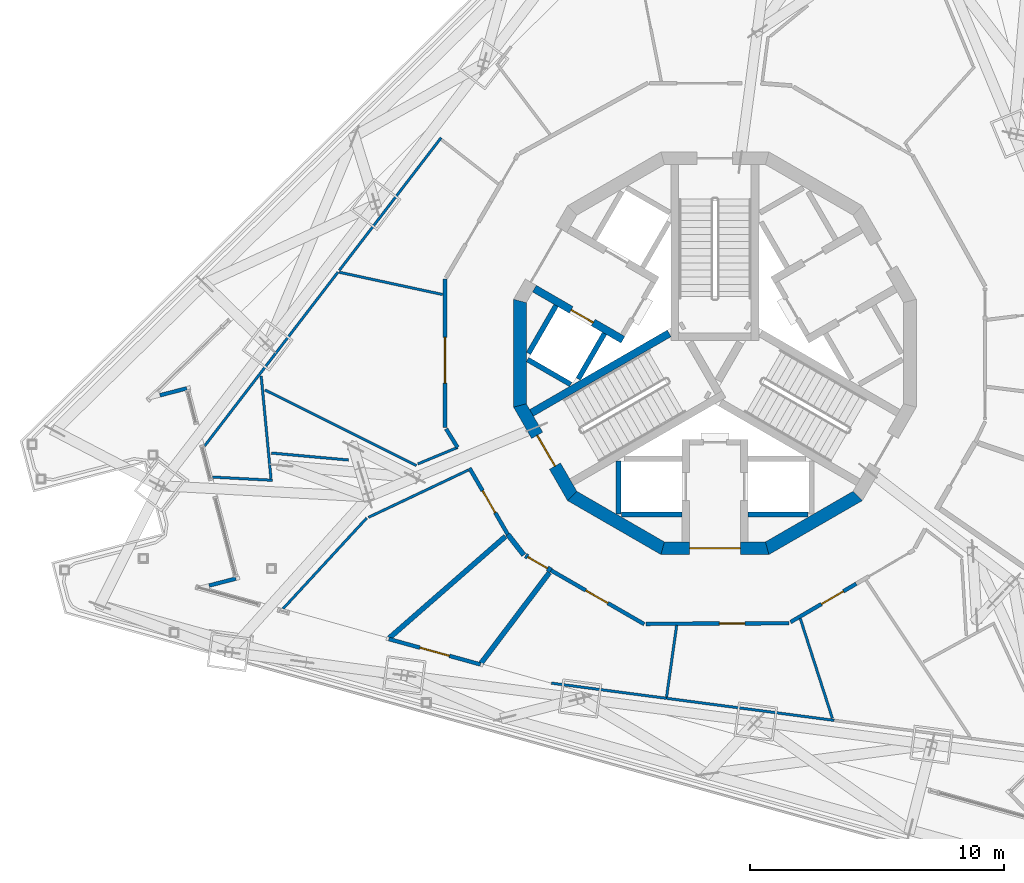
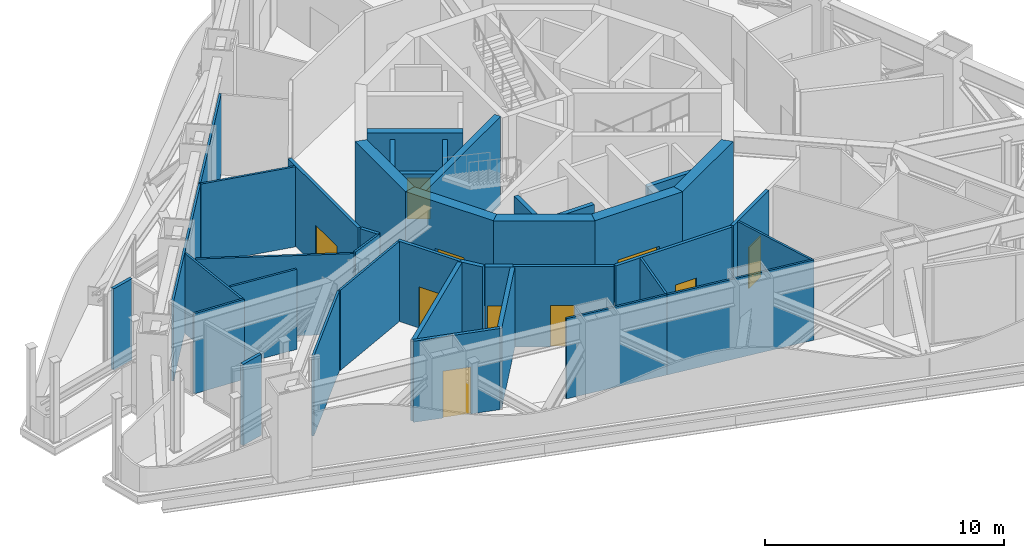
# One storey, part 10 of 22: 40 walls, 10 doors, 10 openings.
"""IFC4 building model written with IfcOpenShell, lengths in metres."""

import ifcopenshell
import ifcopenshell.guid

model = None  # the IFC model being written
_history = None  # IfcOwnerHistory: only IFC2X3 demands one
_inside = {}  # id of a spatial element -> (the spatial element, [elements in it])
_under = {}  # id of a project, library or spatial element -> (it, [spatial elements below it])
_declared = {}  # id of a project -> (the project, [libraries it declares])
_typed = {}  # id of a type object -> (the type object, [elements of that type])
_made_of = {}  # id of a material, layer set ... -> (it, [elements and type objects made of it])


def new_model(schema):
    """Start an empty IFC model of exactly this schema.

    Asked for "IFC4X3", IfcOpenShell would pick the latest addendum, in which some entities
    have other attributes; the version numbers below select the first issue.
    IFC2X3 requires an IfcOwnerHistory on every rooted entity: one is made here for all.
    """
    global model, _history
    if schema == "IFC4X3":
        model = ifcopenshell.file(schema_version=(4, 3, 0, 0))
    else:
        model = ifcopenshell.file(schema=schema)
    _inside.clear()
    _under.clear()
    _declared.clear()
    _typed.clear()
    _made_of.clear()
    _history = None
    if model.schema == "IFC2X3":
        org = make("IfcOrganization", Name="unknown")
        user = make(
            "IfcPersonAndOrganization",
            ThePerson=make("IfcPerson", FamilyName="unknown"),
            TheOrganization=org,
        )
        app = make(
            "IfcApplication",
            ApplicationDeveloper=org,
            Version="unknown",
            ApplicationFullName="unknown",
            ApplicationIdentifier="unknown",
        )
        _history = make(
            "IfcOwnerHistory",
            OwningUser=user,
            OwningApplication=app,
            ChangeAction="ADDED",
            CreationDate=0,
        )
    return model


def make(cls, **values):
    """One entity of the class cls with the attributes given. An attribute that is None is left unset."""
    return model.create_entity(
        cls, **{name: value for name, value in values.items() if value is not None}
    )


def rooted(cls, **values):
    """An entity with a GlobalId (a new one), such as an element, a storey or a relation."""
    return make(cls, GlobalId=ifcopenshell.guid.new(), OwnerHistory=_history, **values)


def si_unit(unit_type, name, prefix=None):
    """IfcSIUnit, for example si_unit("LENGTHUNIT", "METRE", prefix="MILLI")."""
    return make("IfcSIUnit", UnitType=unit_type, Prefix=prefix, Name=name)


def assignment(units):
    """IfcUnitAssignment: the units of a project."""
    return None if units is None else make("IfcUnitAssignment", Units=units)


def point(xyz):
    """IfcCartesianPoint."""
    return None if xyz is None else make("IfcCartesianPoint", Coordinates=xyz)


def direction(xyz):
    """IfcDirection."""
    return None if xyz is None else make("IfcDirection", DirectionRatios=xyz)


def frame(location, z_axis=None, x_axis=None):
    """IfcAxis2Placement3D, a coordinate frame: its origin and axes. An axis left out is left unset."""
    return make(
        "IfcAxis2Placement3D",
        Location=point(location),
        Axis=direction(z_axis),
        RefDirection=direction(x_axis),
    )


def frame_2d(location, x_axis=None):
    """IfcAxis2Placement2D, a coordinate frame in the plane: its origin and x axis."""
    return make(
        "IfcAxis2Placement2D", Location=point(location), RefDirection=direction(x_axis)
    )


def origin():
    """The frame at (0, 0, 0) with its axes left unset."""
    return frame((0.0, 0.0, 0.0))


def place(relative_to, where):
    """IfcLocalPlacement: puts the frame where relative to a parent placement (None: the world)."""
    return make(
        "IfcLocalPlacement", PlacementRelTo=relative_to, RelativePlacement=where
    )


def context(
    kind, dimensions, precision=None, world=None, true_north=None, identifier=None
):
    """IfcGeometricRepresentationContext, for example the 3D "Model" context."""
    return make(
        "IfcGeometricRepresentationContext",
        ContextIdentifier=identifier,
        ContextType=kind,
        CoordinateSpaceDimension=dimensions,
        Precision=precision,
        WorldCoordinateSystem=world,
        TrueNorth=true_north,
    )


def subcontext(parent, identifier, kind, view, scale=None):
    """IfcGeometricRepresentationSubContext, for example "Body" below "Model"."""
    return make(
        "IfcGeometricRepresentationSubContext",
        ContextIdentifier=identifier,
        ContextType=kind,
        ParentContext=parent,
        TargetScale=scale,
        TargetView=view,
    )


def project(units=None, contexts=None):
    """IfcProject with its units and contexts."""
    return rooted(
        "IfcProject",
        Name="project",
        RepresentationContexts=contexts,
        UnitsInContext=assignment(units),
    )


def spatial(cls, under=None, at=None, **own):
    """A site, building, storey or space (cls), placed at a placement, below another one or the project."""
    s = rooted(cls, ObjectPlacement=at, **own)
    if under is not None:
        _under.setdefault(under.id(), (under, []))[1].append(s)
    return s


def polyline(points):
    """IfcPolyline through the points."""
    return make("IfcPolyline", Points=[point(p) for p in points])


def profile(cls, at=None, kind="AREA", **sizes):
    """A parametric profile (cls). Its sizes go by their IFC names, for example OverallWidth=200.0."""
    return make(cls, ProfileType=kind, Position=at, **sizes)


def rectangle(**sizes):
    """IfcRectangleProfileDef."""
    return profile("IfcRectangleProfileDef", **sizes)


def outline(outer, holes=None, kind="AREA"):
    """IfcArbitraryClosedProfileDef: a profile drawn as a closed curve; with holes, ...WithVoids."""
    if holes is None:
        return make("IfcArbitraryClosedProfileDef", ProfileType=kind, OuterCurve=outer)
    return make(
        "IfcArbitraryProfileDefWithVoids",
        ProfileType=kind,
        OuterCurve=outer,
        InnerCurves=holes,
    )


def extrude(swept, where, along, depth):
    """IfcExtrudedAreaSolid: the profile swept, set in the frame where, extruded along a direction by depth."""
    return make(
        "IfcExtrudedAreaSolid",
        SweptArea=swept,
        Position=where,
        ExtrudedDirection=direction(along),
        Depth=depth,
    )


def shape(context_of_items, identifier, shape_type, items):
    """IfcShapeRepresentation: the items that make up one representation, for example the "Body"."""
    return make(
        "IfcShapeRepresentation",
        ContextOfItems=context_of_items,
        RepresentationIdentifier=identifier,
        RepresentationType=shape_type,
        Items=items,
    )


def material(Name=None, Category=None):
    """IfcMaterial."""
    return make("IfcMaterial", Name=Name, Category=Category)


def layer(
    of_material, thickness, ventilated=None, Name=None, Category=None, Priority=None
):
    """IfcMaterialLayer: one layer of a wall or slab, of a material (None: an air gap)."""
    return make(
        "IfcMaterialLayer",
        Material=of_material,
        LayerThickness=thickness,
        IsVentilated=ventilated,
        Name=Name,
        Category=Category,
        Priority=Priority,
    )


def layer_set(layers, Name=None):
    """IfcMaterialLayerSet."""
    return make("IfcMaterialLayerSet", MaterialLayers=layers, LayerSetName=Name)


def made_of(thing, what):
    """Note that an element or type object is made of a material, layer set ...; save() writes the relation."""
    if what is not None:
        _made_of.setdefault(what.id(), (what, []))[1].append(thing)
    return thing


def type_object(cls, material=None, **own):
    """A type object (cls), such as IfcWallType, which elements share."""
    return made_of(rooted(cls, **own), material)


def element(
    cls,
    number,
    at=None,
    inside=None,
    cuts=None,
    type_object=None,
    material=None,
    context=None,
    identifier="Body",
    shape_type=None,
    held_by="IfcProductDefinitionShape",
    body=None,
    shapes=None,
    **own,
):
    """One element of the class cls, such as IfcWall. Its Tag is "e" and its number.

    at: its placement. inside: the storey or other place that contains it. cuts: it is an
    opening in that element (IfcRelVoidsElement). A single representation is given by context,
    identifier, shape_type and body (its items); several are given by shapes. held_by: the class
    of the entity that holds the representations. save() writes the other relations.
    """
    e = rooted(cls, Tag="e%d" % number, ObjectPlacement=at, **own)
    if body is not None:
        shapes = [shape(context, identifier, shape_type, body)]
    if shapes is not None:
        e.Representation = make(held_by, Representations=shapes)
    if inside is not None:
        _inside.setdefault(inside.id(), (inside, []))[1].append(e)
    if cuts is not None:
        rooted(
            "IfcRelVoidsElement", RelatingBuildingElement=cuts, RelatedOpeningElement=e
        )
    if type_object is not None:
        _typed.setdefault(type_object.id(), (type_object, []))[1].append(e)
    return made_of(e, material)


def fill(opening, filler):
    """IfcRelFillsElement: the door or window that sits in an opening."""
    return rooted(
        "IfcRelFillsElement",
        RelatingOpeningElement=opening,
        RelatedBuildingElement=filler,
    )


def aggregate(whole, parts):
    """IfcRelAggregates: a whole, such as a stair, and the parts it consists of."""
    return rooted("IfcRelAggregates", RelatingObject=whole, RelatedObjects=parts)


def save(model, path):
    """Write the relations noted so far, then the file.

    IfcRelAggregates (storeys below a building ...), IfcRelContainedInSpatialStructure (elements
    in a storey), IfcRelDefinesByType, IfcRelAssociatesMaterial and IfcRelDeclares: one each for
    every whole, place, type object, material and project.
    """
    for whole, parts in _under.values():
        aggregate(whole, parts)
    for where, things in _inside.values():
        rooted(
            "IfcRelContainedInSpatialStructure",
            RelatedElements=things,
            RelatingStructure=where,
        )
    for kind, things in _typed.values():
        rooted("IfcRelDefinesByType", RelatedObjects=things, RelatingType=kind)
    for what, things in _made_of.values():
        rooted("IfcRelAssociatesMaterial", RelatedObjects=things, RelatingMaterial=what)
    for by, libraries in _declared.values():
        rooted("IfcRelDeclares", RelatingContext=by, RelatedDefinitions=libraries)
    model.write(path)


model = new_model("IFC4")

# Units and contexts
model_context = context("Model", 3, precision=1e-05, world=origin(), true_north=direction((0.0, 1.0)))
body_context = subcontext(model_context, "Body", "Model", "MODEL_VIEW")
ifc_project = project(units=[si_unit("LENGTHUNIT", "METRE"), si_unit("AREAUNIT", "SQUARE_METRE"), si_unit("VOLUMEUNIT", "CUBIC_METRE"), si_unit("PLANEANGLEUNIT", "RADIAN"), si_unit("MASSUNIT", "GRAM", prefix="KILO")], contexts=[model_context])

# Site, building, storey
site_placement = place(None, origin())
site = spatial("IfcSite", under=ifc_project, at=site_placement, CompositionType="ELEMENT")
building_placement = place(site_placement, origin())
building = spatial("IfcBuilding", under=site, at=building_placement, Name="Trine Commons Tower", CompositionType="ELEMENT")
storey_placement = place(building_placement, frame((0.0, 0.0, 267.300048828125)))
storey = spatial("IfcBuildingStorey", under=building, at=storey_placement, Name="L70", CompositionType="ELEMENT", Elevation=267.300048828125)

# Wall, opening, door
ifc_material_1 = material(Name="Plasterboard on steel stud", Category="steel")
ifc_layer_1 = layer(ifc_material_1, 0.14990234375)
ifc_layer_set_1 = layer_set([ifc_layer_1], Name="Plasterboard on steel stud")
wall_type_1 = type_object("IfcWallType", Name="Compartment wall 150 mm, EI 60", PredefinedType="PARTITIONING", material=ifc_layer_set_1)
wall_1_placement = place(storey_placement, frame((69.37939453125, 65.4208984375, 0.0), z_axis=(0.0, 0.0, 1.0), x_axis=(0.0, -1.0, 0.0)))
wall_1 = element("IfcWall", 1, at=wall_1_placement, inside=storey, type_object=wall_type_1, Name="Partition A70013", PredefinedType="PARTITIONING", context=body_context, shape_type="SweptSolid", body=[
    extrude(rectangle(XDim=5.841796875, YDim=0.14990234375, at=frame_2d((2.9208984375, 0.0))), origin(), (0.0, 0.0, 1.0), 4.099853515625),
])
opening_1_placement = place(wall_1_placement, frame((2.298583984375, 0.0, 0.0)))
opening_1 = element("IfcOpeningElement", 2, at=opening_1_placement, cuts=wall_1, Name="Opening D-A7001", PredefinedType="OPENING", context=body_context, shape_type="SweptSolid", body=[
    extrude(rectangle(XDim=1.800048828125, YDim=2.10009765625, at=frame_2d((0.89990234375, 1.050048828125))), frame((0.0, 0.0849609375, 0.0), z_axis=(0.0, -1.0, 0.0), x_axis=(1.0, 0.0, 0.0)), (0.0, 0.0, 1.0), 0.169921875),
])
ifc_material_2 = material(Name="Timber fire door set", Category="wood")
door_type_1 = type_object("IfcDoorType", Name="Double swing door 1800x2100, FD30S", OperationType="DOUBLE_DOOR_DOUBLE_SWING", PredefinedType="DOOR", material=ifc_material_2)
door_1_placement = place(opening_1_placement, origin())
door_1 = element("IfcDoor", 3, at=door_1_placement, inside=storey, type_object=door_type_1, Name="Door D-A7001", OperationType="DOUBLE_DOOR_DOUBLE_SWING", OverallHeight=2.10009765625, OverallWidth=1.800048828125, PredefinedType="DOOR", context=body_context, shape_type="SweptSolid", body=[
    extrude(rectangle(XDim=1.800048828125, YDim=2.10009765625, at=frame_2d((0.89990234375, 1.050048828125))), frame((0.0, 0.02490234375, 0.0), z_axis=(0.0, -1.0, 0.0), x_axis=(1.0, 0.0, 0.0)), (0.0, 0.0, 1.0), 0.050048828125),
])
fill(opening_1, door_1)

# Wall
wall_2_placement = place(storey_placement, frame((69.42431640625, 59.525634765625, 0.0), z_axis=(0.0, 0.0, 1.0), x_axis=(0.525221008375, -0.850965858517, 0.0)))
element("IfcWall", 4, at=wall_2_placement, inside=storey, type_object=wall_type_1, Name="Partition A70014", PredefinedType="PARTITIONING", context=body_context, shape_type="SweptSolid", body=[
    extrude(rectangle(XDim=0.8603515625, YDim=0.14990234375, at=frame_2d((0.43017578125, 0.0))), origin(), (0.0, 0.0, 1.0), 4.099853515625),
])

# Wall, opening, door
wall_3_placement = place(storey_placement, frame((71.850830078125, 55.373779296875, 0.0), z_axis=(0.0, 0.0, 1.0), x_axis=(-0.500010157896, 0.866019539041, 0.0)))
wall_3 = element("IfcWall", 5, at=wall_3_placement, inside=storey, type_object=wall_type_1, Name="Partition A70017", PredefinedType="PARTITIONING", context=body_context, shape_type="SweptSolid", body=[
    extrude(rectangle(XDim=3.01171875, YDim=0.14990234375, at=frame_2d((1.505859375, 0.0))), origin(), (0.0, 0.0, 1.0), 4.099853515625),
])
opening_2_placement = place(wall_3_placement, frame((0.98095703125, 0.0, 0.0)))
opening_2 = element("IfcOpeningElement", 6, at=opening_2_placement, cuts=wall_3, Name="Opening D-A7004", PredefinedType="OPENING", context=body_context, shape_type="SweptSolid", body=[
    extrude(rectangle(XDim=1.0, YDim=2.10009765625, at=frame_2d((0.5, 1.050048828125))), frame((0.0, 0.0849609375, 0.0), z_axis=(0.0, -1.0, 0.0), x_axis=(1.0, 0.0, 0.0)), (0.0, 0.0, 1.0), 0.169921875),
])
door_type_2 = type_object("IfcDoorType", Name="Single swing door 1000x2100, FD30S", OperationType="SINGLE_SWING_LEFT", PredefinedType="DOOR", material=ifc_material_2)
door_2_placement = place(opening_2_placement, origin())
door_2 = element("IfcDoor", 7, at=door_2_placement, inside=storey, type_object=door_type_2, Name="Door D-A7004", OperationType="SINGLE_SWING_LEFT", OverallHeight=2.10009765625, OverallWidth=1.0, PredefinedType="DOOR", context=body_context, shape_type="SweptSolid", body=[
    extrude(rectangle(XDim=1.0, YDim=2.10009765625, at=frame_2d((0.5, 1.050048828125))), frame((0.0, 0.02490234375, 0.0), z_axis=(0.0, -1.0, 0.0), x_axis=(1.0, 0.0, 0.0)), (0.0, 0.0, 1.0), 0.050048828125),
])
fill(opening_2, door_2)

wall_4_placement = place(storey_placement, frame((77.21923828125, 51.841796875, 0.0), z_axis=(0.0, 0.0, 1.0), x_axis=(-0.866001108154, 0.500042078905, 0.0)))
wall_4 = element("IfcWall", 8, at=wall_4_placement, inside=storey, type_object=wall_type_1, Name="Partition A70024", PredefinedType="PARTITIONING", context=body_context, shape_type="SweptSolid", body=[
    extrude(rectangle(XDim=4.231689453125, YDim=0.14990234375, at=frame_2d((2.11572265625, 0.0))), origin(), (0.0, 0.0, 1.0), 4.099853515625),
])
opening_3_placement = place(wall_4_placement, frame((1.6533203125, 0.0, 0.0)))
opening_3 = element("IfcOpeningElement", 9, at=opening_3_placement, cuts=wall_4, Name="Opening D-A7006", PredefinedType="OPENING", context=body_context, shape_type="SweptSolid", body=[
    extrude(rectangle(XDim=1.0, YDim=2.10009765625, at=frame_2d((0.5, 1.050048828125))), frame((0.0, 0.0849609375, 0.0), z_axis=(0.0, -1.0, 0.0), x_axis=(1.0, 0.0, 0.0)), (0.0, 0.0, 1.0), 0.169921875),
])
door_3_placement = place(opening_3_placement, origin())
door_3 = element("IfcDoor", 10, at=door_3_placement, inside=storey, type_object=door_type_2, Name="Door D-A7006", OperationType="SINGLE_SWING_LEFT", OverallHeight=2.10009765625, OverallWidth=1.0, PredefinedType="DOOR", context=body_context, shape_type="SweptSolid", body=[
    extrude(rectangle(XDim=1.0, YDim=2.10009765625, at=frame_2d((0.5, 1.050048828125))), frame((0.0, 0.02490234375, 0.0), z_axis=(0.0, -1.0, 0.0), x_axis=(1.0, 0.0, 0.0)), (0.0, 0.0, 1.0), 0.050048828125),
])
fill(opening_3, door_3)

wall_5_placement = place(storey_placement, frame((82.9208984375, 51.87939453125, 0.0), z_axis=(0.0, 0.0, 1.0), x_axis=(-0.999989840798, -0.0045075825, 0.0)))
wall_5 = element("IfcWall", 11, at=wall_5_placement, inside=storey, type_object=wall_type_1, Name="Partition A70027", PredefinedType="PARTITIONING", context=body_context, shape_type="SweptSolid", body=[
    extrude(rectangle(XDim=5.6328125, YDim=0.14990234375, at=frame_2d((2.81640625, 0.0))), origin(), (0.0, 0.0, 1.0), 4.099853515625),
])
opening_4_placement = place(wall_5_placement, frame((1.744873046875, 0.0, 0.0)))
opening_4 = element("IfcOpeningElement", 12, at=opening_4_placement, cuts=wall_5, Name="Opening D-A7008", PredefinedType="OPENING", context=body_context, shape_type="SweptSolid", body=[
    extrude(rectangle(XDim=1.0, YDim=2.10009765625, at=frame_2d((0.5, 1.050048828125))), frame((0.0, 0.0849609375, 0.0), z_axis=(0.0, -1.0, 0.0), x_axis=(1.0, 0.0, 0.0)), (0.0, 0.0, 1.0), 0.169921875),
])
door_4_placement = place(opening_4_placement, origin())
door_4 = element("IfcDoor", 13, at=door_4_placement, inside=storey, type_object=door_type_2, Name="Door D-A7008", OperationType="SINGLE_SWING_LEFT", OverallHeight=2.10009765625, OverallWidth=1.0, PredefinedType="DOOR", context=body_context, shape_type="SweptSolid", body=[
    extrude(rectangle(XDim=1.0, YDim=2.10009765625, at=frame_2d((0.5, 1.050048828125))), frame((0.0, 0.02490234375, 0.0), z_axis=(0.0, -1.0, 0.0), x_axis=(1.0, 0.0, 0.0)), (0.0, 0.0, 1.0), 0.050048828125),
])
fill(opening_4, door_4)

wall_6_placement = place(storey_placement, frame((85.55712890625, 53.430908203125, 0.0), z_axis=(0.0, 0.0, 1.0), x_axis=(-0.863781862305, -0.503865948793, 0.0)))
wall_6 = element("IfcWall", 14, at=wall_6_placement, inside=storey, type_object=wall_type_1, Name="Partition A70034", PredefinedType="PARTITIONING", context=body_context, shape_type="SweptSolid", body=[
    extrude(rectangle(XDim=2.989990234375, YDim=0.14990234375, at=frame_2d((1.4951171875, 0.0))), origin(), (0.0, 0.0, 1.0), 4.099853515625),
])
opening_5_placement = place(wall_6_placement, frame((0.583984375, 0.0, 0.0)))
opening_5 = element("IfcOpeningElement", 15, at=opening_5_placement, cuts=wall_6, Name="Opening D-A7010", PredefinedType="OPENING", context=body_context, shape_type="SweptSolid", body=[
    extrude(rectangle(XDim=1.0, YDim=2.10009765625, at=frame_2d((0.5, 1.050048828125))), frame((0.0, 0.0849609375, 0.0), z_axis=(0.0, -1.0, 0.0), x_axis=(1.0, 0.0, 0.0)), (0.0, 0.0, 1.0), 0.169921875),
])
door_5_placement = place(opening_5_placement, origin())
door_5 = element("IfcDoor", 16, at=door_5_placement, inside=storey, type_object=door_type_2, Name="Door D-A7010", OperationType="SINGLE_SWING_LEFT", OverallHeight=2.10009765625, OverallWidth=1.0, PredefinedType="DOOR", context=body_context, shape_type="SweptSolid", body=[
    extrude(rectangle(XDim=1.0, YDim=2.10009765625, at=frame_2d((0.5, 1.050048828125))), frame((0.0, 0.02490234375, 0.0), z_axis=(0.0, -1.0, 0.0), x_axis=(1.0, 0.0, 0.0)), (0.0, 0.0, 1.0), 0.050048828125),
])
fill(opening_5, door_5)

# Walls
ifc_layer_2 = layer(ifc_material_1, 0.199951171875)
ifc_layer_set_2 = layer_set([ifc_layer_2], Name="Plasterboard on steel stud")
wall_type_2 = type_object("IfcWallType", Name="Fire wall 200 mm, EI 120", PredefinedType="PARTITIONING", material=ifc_layer_set_2)
wall_7_placement = place(storey_placement, frame((67.180908203125, 51.290283203125, 0.0), z_axis=(0.0, 0.0, 1.0), x_axis=(0.752775602841, 0.658277214984, 0.0)))
element("IfcWall", 17, at=wall_7_placement, inside=storey, type_object=wall_type_2, Name="Partition A70010", PredefinedType="PARTITIONING", context=body_context, shape_type="SweptSolid", body=[
    extrude(rectangle(XDim=6.08154296875, YDim=0.199951171875, at=frame_2d((3.040771484375, 0.0))), origin(), (0.0, 0.0, 1.0), 4.099853515625),
])
wall_8_placement = place(storey_placement, frame((70.78759765625, 50.2900390625, 0.0), z_axis=(0.0, 0.0, 1.0), x_axis=(0.602298838393, 0.798270699243, 0.0)))
element("IfcWall", 18, at=wall_8_placement, inside=storey, type_object=wall_type_2, Name="Partition A70018", PredefinedType="PARTITIONING", context=body_context, shape_type="SweptSolid", body=[
    extrude(rectangle(XDim=4.481201171875, YDim=0.199951171875, at=frame_2d((2.24072265625, 0.0))), origin(), (0.0, 0.0, 1.0), 4.099853515625),
])
wall_9_placement = place(storey_placement, frame((71.8505859375, 55.3740234375, 0.0), z_axis=(0.0, 0.0, 1.0), x_axis=(0.61459778303, -0.788840646199, 0.0)))
element("IfcWall", 19, at=wall_9_placement, inside=storey, type_object=wall_type_2, Name="Partition A70021", PredefinedType="PARTITIONING", context=body_context, shape_type="SweptSolid", body=[
    extrude(rectangle(XDim=1.028564453125, YDim=0.199951171875, at=frame_2d((0.51416015625, 0.0))), origin(), (0.0, 0.0, 1.0), 4.099853515625),
])

# Wall, opening, door
wall_10_placement = place(storey_placement, frame((73.554931640625, 53.95751953125, 0.0), z_axis=(0.0, 0.0, 1.0), x_axis=(-0.866063163075, 0.499934593286, 0.0)))
wall_10 = element("IfcWall", 20, at=wall_10_placement, inside=storey, type_object=wall_type_2, Name="Partition A70022", PredefinedType="PARTITIONING", context=body_context, shape_type="SweptSolid", body=[
    extrude(rectangle(XDim=1.162353515625, YDim=0.199951171875, at=frame_2d((0.5810546875, 0.0))), origin(), (0.0, 0.0, 1.0), 4.099853515625),
])
opening_6_placement = place(wall_10_placement, frame((0.162353515625, 0.0, 0.0)))
opening_6 = element("IfcOpeningElement", 21, at=opening_6_placement, cuts=wall_10, Name="Opening D-A7005", PredefinedType="OPENING", context=body_context, shape_type="SweptSolid", body=[
    extrude(rectangle(XDim=0.89990234375, YDim=2.10009765625, at=frame_2d((0.449951171875, 1.050048828125))), frame((0.0, 0.10986328125, 0.0), z_axis=(0.0, -1.0, 0.0), x_axis=(1.0, 0.0, 0.0)), (0.0, 0.0, 1.0), 0.219970703125),
])
door_type_3 = type_object("IfcDoorType", Name="Single swing door 900x2100, FD30S", OperationType="SINGLE_SWING_LEFT", PredefinedType="DOOR", material=ifc_material_2)
door_6_placement = place(opening_6_placement, origin())
door_6 = element("IfcDoor", 22, at=door_6_placement, inside=storey, type_object=door_type_3, Name="Door D-A7005", OperationType="SINGLE_SWING_LEFT", OverallHeight=2.10009765625, OverallWidth=0.89990234375, PredefinedType="DOOR", context=body_context, shape_type="SweptSolid", body=[
    extrude(rectangle(XDim=0.89990234375, YDim=2.10009765625, at=frame_2d((0.449951171875, 1.050048828125))), frame((0.0, 0.02490234375, 0.0), z_axis=(0.0, -1.0, 0.0), x_axis=(1.0, 0.0, 0.0)), (0.0, 0.0, 1.0), 0.050048828125),
])
fill(opening_6, door_6)

ifc_material_3 = material(Name="Aluminium-framed insulated wall panel", Category="aluminium")
ifc_layer_3 = layer(ifc_material_3, 0.14990234375)
ifc_layer_set_3 = layer_set([ifc_layer_3], Name="Aluminium-framed insulated wall panel")
wall_type_3 = type_object("IfcWallType", Name="Glazed entrance wall 150, EI 60", PredefinedType="SOLIDWALL", material=ifc_layer_set_3)
wall_11_placement = place(storey_placement, frame((70.7783203125, 50.25634765625, 0.0), z_axis=(0.0, 0.0, 1.0), x_axis=(-0.963629033609, 0.267243494936, 0.0)))
wall_11 = element("IfcWall", 23, at=wall_11_placement, inside=storey, type_object=wall_type_3, Name="Glazed entrance wall L70 F3 7", PredefinedType="SOLIDWALL", context=body_context, shape_type="SweptSolid", body=[
    extrude(rectangle(XDim=3.742919921875, YDim=0.14990234375, at=frame_2d((1.87158203125, 0.0))), origin(), (0.0, 0.0, 1.0), 4.14990234375),
])
opening_7_placement = place(wall_11_placement, frame((1.271484375, 0.0, 0.0)))
opening_7 = element("IfcOpeningElement", 24, at=opening_7_placement, cuts=wall_11, Name="Opening SD-L70-F3-07", PredefinedType="OPENING", context=body_context, shape_type="SweptSolid", body=[
    extrude(rectangle(XDim=1.199951171875, YDim=2.39990234375, at=frame_2d((0.60009765625, 1.199951171875))), frame((0.0, 0.0849609375, 0.0), z_axis=(0.0, -1.0, 0.0), x_axis=(1.0, 0.0, 0.0)), (0.0, 0.0, 1.0), 0.169921875),
])
ifc_material_4 = material(Name="Anodised aluminium frame with double glazing", Category="aluminium")
door_type_4 = type_object("IfcDoorType", Name="Sliding door 1200x2400", OperationType="SLIDING_TO_LEFT", PredefinedType="DOOR", material=ifc_material_4)
door_7_placement = place(opening_7_placement, origin())
door_7 = element("IfcDoor", 25, at=door_7_placement, inside=storey, type_object=door_type_4, Name="Loggia door L70 F3 7", OperationType="SLIDING_TO_LEFT", OverallHeight=2.39990234375, OverallWidth=1.199951171875, PredefinedType="DOOR", context=body_context, shape_type="SweptSolid", body=[
    extrude(rectangle(XDim=1.199951171875, YDim=2.39990234375, at=frame_2d((0.60009765625, 1.199951171875))), frame((0.0, 0.02490234375, 0.0), z_axis=(0.0, -1.0, 0.0), x_axis=(1.0, 0.0, 0.0)), (0.0, 0.0, 1.0), 0.050048828125),
])
fill(opening_7, door_7)

# Walls
ifc_layer_4 = layer(ifc_material_3, 0.14990234375)
ifc_layer_set_4 = layer_set([ifc_layer_4], Name="Aluminium-framed insulated wall panel")
wall_type_4 = type_object("IfcWallType", Name="Glazed frame wall 150, EI 60", PredefinedType="SOLIDWALL", material=ifc_layer_set_4)
wall_12_placement = place(storey_placement, frame((59.95849609375, 53.32470703125, 0.0), z_axis=(0.0, 0.0, 1.0), x_axis=(0.968124150503, 0.250470815091, 0.0)))
element("IfcWall", 26, at=wall_12_placement, inside=storey, type_object=wall_type_4, Name="Glazed frame wall L70 R10", PredefinedType="SOLIDWALL", context=body_context, shape_type="SweptSolid", body=[
    extrude(outline(polyline([(0.1494140625, 0.074951171875), (0.1494140625, -0.074951171875), (1.235107421875, -0.074951171875), (1.235107421875, 0.074951171875), (0.1494140625, 0.074951171875)])), origin(), (0.0, 0.0, 1.0), 4.14990234375),
])
wall_13_placement = place(storey_placement, frame((59.3251953125, 61.145263671875, 0.0), z_axis=(0.0, 0.0, 1.0), x_axis=(-0.968156774456, -0.250344682538, 0.0)))
element("IfcWall", 27, at=wall_13_placement, inside=storey, type_object=wall_type_4, Name="Glazed frame wall L70 R12", PredefinedType="SOLIDWALL", context=body_context, shape_type="SweptSolid", body=[
    extrude(outline(polyline([(0.110107421875, 0.074951171875), (0.110107421875, -0.074951171875), (1.19580078125, -0.074951171875), (1.19580078125, 0.074951171875), (0.110107421875, 0.074951171875)])), origin(), (0.0, 0.0, 1.0), 4.14990234375),
])
ifc_layer_5 = layer(ifc_material_1, 0.10009765625)
ifc_layer_set_5 = layer_set([ifc_layer_5], Name="Plasterboard on steel stud")
wall_type_5 = type_object("IfcWallType", Name="Partition wall 100 mm stud, not rated", PredefinedType="PARTITIONING", material=ifc_layer_set_5)
wall_14_placement = place(storey_placement, frame((59.921142578125, 58.84912109375, 0.0), z_axis=(0.0, 0.0, 1.0), x_axis=(0.608764122626, 0.793351273398, 0.0)))
element("IfcWall", 28, at=wall_14_placement, inside=storey, type_object=wall_type_5, Name="Partition A70001", PredefinedType="PARTITIONING", context=body_context, shape_type="SweptSolid", body=[
    extrude(rectangle(XDim=8.62890625, YDim=0.10009765625, at=frame_2d((4.314453125, 0.0))), origin(), (0.0, 0.0, 1.0), 4.099853515625),
])
wall_15_placement = place(storey_placement, frame((60.23681640625, 57.62841796875, 0.0), z_axis=(0.0, 0.0, 1.0), x_axis=(0.998577499092, -0.053319586525, 0.0)))
element("IfcWall", 29, at=wall_15_placement, inside=storey, type_object=wall_type_5, Name="Partition A70002", PredefinedType="PARTITIONING", context=body_context, shape_type="SweptSolid", body=[
    extrude(rectangle(XDim=2.358154296875, YDim=0.10009765625, at=frame_2d((1.17919921875, 0.0))), origin(), (0.0, 0.0, 1.0), 4.099853515625),
])
wall_16_placement = place(storey_placement, frame((62.150146484375, 61.6044921875, 0.0), z_axis=(0.0, 0.0, 1.0), x_axis=(0.095073006432, -0.995470302645, 0.0)))
element("IfcWall", 30, at=wall_16_placement, inside=storey, type_object=wall_type_5, Name="Partition A70003", PredefinedType="PARTITIONING", context=body_context, shape_type="SweptSolid", body=[
    extrude(rectangle(XDim=4.059814453125, YDim=0.10009765625, at=frame_2d((2.02978515625, 0.0))), origin(), (0.0, 0.0, 1.0), 4.099853515625),
])
wall_17_placement = place(storey_placement, frame((62.548828125, 58.574462890625, 0.0), z_axis=(0.0, 0.0, 1.0), x_axis=(0.995901075832, -0.090449141271, 0.0)))
element("IfcWall", 31, at=wall_17_placement, inside=storey, type_object=wall_type_5, Name="Partition A70004", PredefinedType="PARTITIONING", context=body_context, shape_type="SweptSolid", body=[
    extrude(rectangle(XDim=3.050048828125, YDim=0.10009765625, at=frame_2d((1.52490234375, 0.0))), origin(), (0.0, 0.0, 1.0), 4.099853515625),
])
wall_18_placement = place(storey_placement, frame((63.0107421875, 52.448974609375, 0.0), z_axis=(0.0, 0.0, 1.0), x_axis=(0.67801500512, 0.73504806158, 0.0)))
element("IfcWall", 32, at=wall_18_placement, inside=storey, type_object=wall_type_5, Name="Partition A70005", PredefinedType="PARTITIONING", context=body_context, shape_type="SweptSolid", body=[
    extrude(rectangle(XDim=4.858642578125, YDim=0.10009765625, at=frame_2d((2.42919921875, 0.0))), origin(), (0.0, 0.0, 1.0), 4.099853515625),
])
wall_19_placement = place(storey_placement, frame((65.21923828125, 65.68701171875, 0.0), z_axis=(0.0, 0.0, 1.0), x_axis=(0.977530747309, -0.210792879543, 0.0)))
element("IfcWall", 33, at=wall_19_placement, inside=storey, type_object=wall_type_5, Name="Partition A70006", PredefinedType="PARTITIONING", context=body_context, shape_type="SweptSolid", body=[
    extrude(rectangle(XDim=4.16845703125, YDim=0.10009765625, at=frame_2d((2.084228515625, 0.0))), origin(), (0.0, 0.0, 1.0), 4.099853515625),
])
wall_20_placement = place(storey_placement, frame((65.224853515625, 65.760986328125, 0.0), z_axis=(0.0, 0.0, 1.0), x_axis=(0.608772058744, 0.793345183695, 0.0)))
element("IfcWall", 34, at=wall_20_placement, inside=storey, type_object=wall_type_5, Name="Partition A70007", PredefinedType="PARTITIONING", context=body_context, shape_type="SweptSolid", body=[
    extrude(rectangle(XDim=6.57666015625, YDim=0.10009765625, at=frame_2d((3.288330078125, 0.0))), origin(), (0.0, 0.0, 1.0), 4.099853515625),
])
wall_21_placement = place(storey_placement, frame((62.303955078125, 61.0537109375, 0.0), z_axis=(0.0, 0.0, 1.0), x_axis=(0.894713222118, -0.446641075324, 0.0)))
element("IfcWall", 35, at=wall_21_placement, inside=storey, type_object=wall_type_5, Name="Partition A70008", PredefinedType="PARTITIONING", context=body_context, shape_type="SweptSolid", body=[
    extrude(rectangle(XDim=6.6533203125, YDim=0.10009765625, at=frame_2d((3.32666015625, 0.0))), origin(), (0.0, 0.0, 1.0), 4.099853515625),
])
wall_22_placement = place(storey_placement, frame((66.370849609375, 56.0439453125, 0.0), z_axis=(0.0, 0.0, 1.0), x_axis=(0.903734405687, 0.428093592545, 0.0)))
element("IfcWall", 36, at=wall_22_placement, inside=storey, type_object=wall_type_5, Name="Partition A70009", PredefinedType="PARTITIONING", context=body_context, shape_type="SweptSolid", body=[
    extrude(rectangle(XDim=4.343994140625, YDim=0.10009765625, at=frame_2d((2.171875, 0.0))), origin(), (0.0, 0.0, 1.0), 4.099853515625),
])
wall_23_placement = place(storey_placement, frame((68.3134765625, 58.146240234375, 0.0), z_axis=(0.0, 0.0, 1.0), x_axis=(0.923831873117, 0.382798472061, 0.0)))
element("IfcWall", 37, at=wall_23_placement, inside=storey, type_object=wall_type_5, Name="Partition A70011", PredefinedType="PARTITIONING", context=body_context, shape_type="SweptSolid", body=[
    extrude(rectangle(XDim=1.689453125, YDim=0.10009765625, at=frame_2d((0.8447265625, 0.0))), origin(), (0.0, 0.0, 1.0), 4.099853515625),
])
wall_24_placement = place(storey_placement, frame((73.566162109375, 49.521728515625, 0.0), z_axis=(0.0, 0.0, 1.0), x_axis=(0.99144390916, -0.130533424801, 0.0)))
element("IfcWall", 38, at=wall_24_placement, inside=storey, type_object=wall_type_5, Name="Partition A70025", PredefinedType="PARTITIONING", context=body_context, shape_type="SweptSolid", body=[
    extrude(rectangle(XDim=4.561767578125, YDim=0.10009765625, at=frame_2d((2.28076171875, 0.0))), origin(), (0.0, 0.0, 1.0), 4.099853515625),
])
wall_25_placement = place(storey_placement, frame((78.097900390625, 48.97607421875, 0.0), z_axis=(0.0, 0.0, 1.0), x_axis=(0.139249579502, 0.990257317372, 0.0)))
element("IfcWall", 39, at=wall_25_placement, inside=storey, type_object=wall_type_5, Name="Partition A70029", PredefinedType="PARTITIONING", context=body_context, shape_type="SweptSolid", body=[
    extrude(rectangle(XDim=2.84912109375, YDim=0.10009765625, at=frame_2d((1.424560546875, 0.0))), origin(), (0.0, 0.0, 1.0), 4.099853515625),
])
wall_26_placement = place(storey_placement, frame((78.0927734375, 48.92578125, 0.0), z_axis=(0.0, 0.0, 1.0), x_axis=(0.991446303008, -0.130515241457, 0.0)))
element("IfcWall", 40, at=wall_26_placement, inside=storey, type_object=wall_type_5, Name="Partition A70030", PredefinedType="PARTITIONING", context=body_context, shape_type="SweptSolid", body=[
    extrude(rectangle(XDim=6.655517578125, YDim=0.10009765625, at=frame_2d((3.32763671875, 0.0))), origin(), (0.0, 0.0, 1.0), 4.099853515625),
])
wall_27_placement = place(storey_placement, frame((83.353759765625, 52.073974609375, 0.0), z_axis=(0.0, 0.0, 1.0), x_axis=(0.306253851697, -0.951949882252, 0.0)))
element("IfcWall", 41, at=wall_27_placement, inside=storey, type_object=wall_type_5, Name="Partition A70037", PredefinedType="PARTITIONING", context=body_context, shape_type="SweptSolid", body=[
    extrude(rectangle(XDim=4.13427734375, YDim=0.10009765625, at=frame_2d((2.067138671875, 0.0))), origin(), (0.0, 0.0, 1.0), 4.099853515625),
])

# Wall, opening, door
ifc_material_5 = material(Name="Concrete C50/60", Category="concrete")
ifc_layer_6 = layer(ifc_material_5, 0.300048828125)
ifc_layer_set_6 = layer_set([ifc_layer_6], Name="Concrete C50/60")
wall_type_6 = type_object("IfcWallType", Name="RC shear wall 300 mm, C50/60", PredefinedType="SHEAR", material=ifc_layer_set_6)
wall_28_placement = place(storey_placement, frame((76.381103515625, 63.031005859375, 0.0), z_axis=(0.0, 0.0, 1.0), x_axis=(-0.866071331441, 0.499920442526, 0.0)))
wall_28 = element("IfcWall", 42, at=wall_28_placement, inside=storey, type_object=wall_type_6, Name="Core cross wall SWD-01 L70", PredefinedType="SHEAR", context=body_context, shape_type="SweptSolid", body=[
    extrude(rectangle(XDim=4.020751953125, YDim=0.300048828125, at=frame_2d((2.01025390625, 0.0))), origin(), (0.0, 0.0, 1.0), 4.5),
])
opening_8_placement = place(wall_28_placement, frame((1.350341796875, 0.0, 0.0)))
opening_8 = element("IfcOpeningElement", 43, at=opening_8_placement, cuts=wall_28, Name="Opening LD7", PredefinedType="OPENING", context=body_context, shape_type="SweptSolid", body=[
    extrude(rectangle(XDim=1.0, YDim=2.10009765625, at=frame_2d((0.5, 1.050048828125))), frame((0.0, 0.159912109375, 0.0), z_axis=(0.0, -1.0, 0.0), x_axis=(1.0, 0.0, 0.0)), (0.0, 0.0, 1.0), 0.320068359375),
])
ifc_material_6 = material(Name="Stainless steel sliding door leaves", Category="steel")
door_type_5 = type_object("IfcDoorType", Name="Lift landing door, centre-opening sliding 1000 x 2100, FD90", OperationType="DOUBLE_DOOR_SLIDING", PredefinedType="DOOR", material=ifc_material_6)
door_8_placement = place(opening_8_placement, origin())
door_8 = element("IfcDoor", 44, at=door_8_placement, inside=storey, type_object=door_type_5, Name="Lift landing door HR3 L70", OperationType="DOUBLE_DOOR_SLIDING", OverallHeight=2.10009765625, OverallWidth=1.0, PredefinedType="DOOR", context=body_context, shape_type="SweptSolid", body=[
    extrude(rectangle(XDim=1.0, YDim=2.10009765625, at=frame_2d((0.5, 1.050048828125))), frame((0.0, 0.02490234375, 0.0), z_axis=(0.0, -1.0, 0.0), x_axis=(1.0, 0.0, 0.0)), (0.0, 0.0, 1.0), 0.050048828125),
])
fill(opening_8, door_8)

# Walls
wall_29_placement = place(storey_placement, frame((78.199951171875, 63.280029296875, 0.0), z_axis=(0.0, 0.0, 1.0), x_axis=(-0.866013897511, -0.50001992892, 0.0)))
element("IfcWall", 45, at=wall_29_placement, inside=storey, type_object=wall_type_6, Name="Core cross wall SWD-07 L70", PredefinedType="SHEAR", context=body_context, shape_type="SweptSolid", body=[
    extrude(rectangle(XDim=6.251708984375, YDim=0.300048828125, at=frame_2d((3.1259765625, 0.0))), origin(), (0.0, 0.0, 1.0), 4.5),
])
ifc_layer_7 = layer(ifc_material_5, 0.5)
ifc_layer_set_7 = layer_set([ifc_layer_7], Name="Concrete C50/60")
wall_type_7 = type_object("IfcWallType", Name="RC shear wall 500 mm, C50/60", PredefinedType="SHEAR", material=ifc_layer_set_7)
wall_30_placement = place(storey_placement, frame((72.329345703125, 64.622314453125, 0.0), z_axis=(0.0, 0.0, 1.0), x_axis=(0.0, -1.0, 0.0)))
element("IfcWall", 46, at=wall_30_placement, inside=storey, type_object=wall_type_7, Name="Core wall CWH-07 L70", PredefinedType="SHEAR", context=body_context, shape_type="SweptSolid", body=[
    extrude(outline(polyline([(0.0, -0.25), (4.24462890625, -0.25), (4.110595703125, 0.25), (0.134033203125, 0.25), (0.0, -0.25)])), origin(), (0.0, 0.0, 1.0), 4.5),
])

# Wall, opening, door
wall_31_placement = place(storey_placement, frame((72.2958984375, 60.502685546875, 0.0), z_axis=(0.0, 0.0, 1.0), x_axis=(0.499992968425, -0.866029463428, 0.0)))
wall_31 = element("IfcWall", 47, at=wall_31_placement, inside=storey, type_object=wall_type_7, Name="Core wall CWH-08 L70", PredefinedType="SHEAR", context=body_context, shape_type="SweptSolid", body=[
    extrude(outline(polyline([(0.0, -0.25), (4.24462890625, -0.25), (4.110595703125, 0.25), (0.134033203125, 0.25), (0.0, -0.25)])), origin(), (0.0, 0.0, 1.0), 4.5),
])
opening_9_placement = place(wall_31_placement, frame((1.42236328125, 0.0, 0.0)))
opening_9 = element("IfcOpeningElement", 48, at=opening_9_placement, cuts=wall_31, Name="Opening K18.02", PredefinedType="OPENING", context=body_context, shape_type="SweptSolid", body=[
    extrude(rectangle(XDim=1.39990234375, YDim=2.10009765625, at=frame_2d((0.699951171875, 1.050048828125))), frame((0.0, 0.260009765625, 0.0), z_axis=(0.0, -1.0, 0.0), x_axis=(1.0, 0.0, 0.0)), (0.0, 0.0, 1.0), 0.52001953125),
])
ifc_material_7 = material(Name="Steel door leaves, fire-rated", Category="steel")
door_type_6 = type_object("IfcDoorType", Name="Stair door, double leaf 1400 x 2100, FD90", OperationType="DOUBLE_DOOR_SINGLE_SWING", PredefinedType="DOOR", material=ifc_material_7)
door_9_placement = place(opening_9_placement, origin())
door_9 = element("IfcDoor", 49, at=door_9_placement, inside=storey, type_object=door_type_6, Name="Stair door to Exit stair ST2D L70", OperationType="DOUBLE_DOOR_SINGLE_SWING", OverallHeight=2.10009765625, OverallWidth=1.39990234375, PredefinedType="DOOR", context=body_context, shape_type="SweptSolid", body=[
    extrude(rectangle(XDim=1.39990234375, YDim=2.10009765625, at=frame_2d((0.699951171875, 1.050048828125))), frame((0.0, 0.02490234375, 0.0), z_axis=(0.0, -1.0, 0.0), x_axis=(1.0, 0.0, 0.0)), (0.0, 0.0, 1.0), 0.050048828125),
])
fill(opening_9, door_9)

# Wall
wall_32_placement = place(storey_placement, frame((74.32666015625, 56.918212890625, 0.0), z_axis=(0.0, 0.0, 1.0), x_axis=(0.866029463428, -0.499992968425, 0.0)))
element("IfcWall", 50, at=wall_32_placement, inside=storey, type_object=wall_type_7, Name="Core wall CWH-09 L70", PredefinedType="SHEAR", context=body_context, shape_type="SweptSolid", body=[
    extrude(outline(polyline([(0.0, -0.25), (4.24462890625, -0.25), (4.110595703125, 0.25), (0.134033203125, 0.25), (0.0, -0.25)])), origin(), (0.0, 0.0, 1.0), 4.5),
])

# Wall, opening, door
wall_33_placement = place(storey_placement, frame((77.877685546875, 54.829345703125, 0.0), z_axis=(0.0, 0.0, 1.0), x_axis=(1.0, 0.0, 0.0)))
wall_33 = element("IfcWall", 51, at=wall_33_placement, inside=storey, type_object=wall_type_7, Name="Core wall CWH-10 L70", PredefinedType="SHEAR", context=body_context, shape_type="SweptSolid", body=[
    extrude(outline(polyline([(0.0, -0.25), (4.24462890625, -0.25), (4.110595703125, 0.25), (0.134033203125, 0.25), (0.0, -0.25)])), origin(), (0.0, 0.0, 1.0), 4.5),
])
opening_10_placement = place(wall_33_placement, frame((1.122314453125, 0.0, 0.0)))
opening_10 = element("IfcOpeningElement", 52, at=opening_10_placement, cuts=wall_33, Name="Opening K18.08", PredefinedType="OPENING", context=body_context, shape_type="SweptSolid", body=[
    extrude(rectangle(XDim=2.0, YDim=2.10009765625, at=frame_2d((1.0, 1.050048828125))), frame((0.0, 0.260009765625, 0.0), z_axis=(0.0, -1.0, 0.0), x_axis=(1.0, 0.0, 0.0)), (0.0, 0.0, 1.0), 0.52001953125),
])
door_type_7 = type_object("IfcDoorType", Name="Lobby door, double leaf 2000 x 2100, FD60", OperationType="DOUBLE_DOOR_SINGLE_SWING", PredefinedType="DOOR", material=ifc_material_7)
door_10_placement = place(opening_10_placement, origin())
door_10 = element("IfcDoor", 53, at=door_10_placement, inside=storey, type_object=door_type_7, Name="Lobby door, Service and firefighting lobby L70", OperationType="DOUBLE_DOOR_SINGLE_SWING", OverallHeight=2.10009765625, OverallWidth=2.0, PredefinedType="DOOR", context=body_context, shape_type="SweptSolid", body=[
    extrude(rectangle(XDim=2.0, YDim=2.10009765625, at=frame_2d((1.0, 1.050048828125))), frame((0.0, 0.02490234375, 0.0), z_axis=(0.0, -1.0, 0.0), x_axis=(1.0, 0.0, 0.0)), (0.0, 0.0, 1.0), 0.050048828125),
])
fill(opening_10, door_10)

# Walls
wall_34_placement = place(storey_placement, frame((81.997314453125, 54.7958984375, 0.0), z_axis=(0.0, 0.0, 1.0), x_axis=(0.866029463428, 0.499992968425, 0.0)))
element("IfcWall", 54, at=wall_34_placement, inside=storey, type_object=wall_type_7, Name="Core wall CWH-11 L70", PredefinedType="SHEAR", context=body_context, shape_type="SweptSolid", body=[
    extrude(outline(polyline([(0.0, -0.25), (4.24462890625, -0.25), (4.110595703125, 0.25), (0.134033203125, 0.25), (0.0, -0.25)])), origin(), (0.0, 0.0, 1.0), 4.5),
])
ifc_material_8 = material(Name="Fire-rated gypsum shaft wall system")
ifc_layer_8 = layer(ifc_material_8, 0.199951171875)
ifc_layer_set_8 = layer_set([ifc_layer_8], Name="Fire-rated gypsum shaft wall system")
wall_type_8 = type_object("IfcWallType", Name="Shaft wall 200 mm, EI 120", PredefinedType="PARTITIONING", material=ifc_layer_set_8)
wall_35_placement = place(storey_placement, frame((73.7509765625, 64.3759765625, 0.0), z_axis=(0.0, 0.0, 1.0), x_axis=(-0.499865263774, -0.866103179807, 0.0)))
element("IfcWall", 55, at=wall_35_placement, inside=storey, type_object=wall_type_8, Name="Shaft wall L70", PredefinedType="PARTITIONING", context=body_context, shape_type="SweptSolid", body=[
    extrude(rectangle(XDim=2.17041015625, YDim=0.199951171875, at=frame_2d((1.085205078125, 0.0))), origin(), (0.0, 0.0, 1.0), 4.14990234375),
])
wall_36_placement = place(storey_placement, frame((74.324951171875, 61.27294921875, 0.0), z_axis=(0.0, 0.0, 1.0), x_axis=(-0.86585547495, 0.500294209939, 0.0)))
element("IfcWall", 56, at=wall_36_placement, inside=storey, type_object=wall_type_8, Name="Shaft wall L70", PredefinedType="PARTITIONING", context=body_context, shape_type="SweptSolid", body=[
    extrude(rectangle(XDim=1.958740234375, YDim=0.199951171875, at=frame_2d((0.9794921875, 0.0))), origin(), (0.0, 0.0, 1.0), 4.14990234375),
])
wall_37_placement = place(storey_placement, frame((75.656005859375, 63.27587890625, 0.0), z_axis=(0.0, 0.0, 1.0), x_axis=(-0.500271688072, -0.86586848777, 0.0)))
element("IfcWall", 57, at=wall_37_placement, inside=storey, type_object=wall_type_8, Name="Shaft wall L70", PredefinedType="PARTITIONING", context=body_context, shape_type="SweptSolid", body=[
    extrude(rectangle(XDim=2.064697265625, YDim=0.199951171875, at=frame_2d((1.0322265625, 0.0))), origin(), (0.0, 0.0, 1.0), 4.14990234375),
])
wall_38_placement = place(storey_placement, frame((76.199951171875, 58.257080078125, 0.0), z_axis=(0.0, 0.0, 1.0), x_axis=(0.0, -1.0, 0.0)))
element("IfcWall", 58, at=wall_38_placement, inside=storey, type_object=wall_type_8, Name="Shaft wall L70", PredefinedType="PARTITIONING", context=body_context, shape_type="SweptSolid", body=[
    extrude(rectangle(XDim=2.073974609375, YDim=0.199951171875, at=frame_2d((1.037109375, 0.0))), origin(), (0.0, 0.0, 1.0), 4.14990234375),
])
for number, where, z_axis, x_axis, name in (
    (59, (78.699951171875, 56.14990234375, 0.0), (0.0, 0.0, 1.0), (-1.0, 0.0, 0.0), "Shaft wall L70"),
    (60, (81.300048828125, 56.14990234375, 0.0), (0.0, 0.0, 1.0), (1.0, 0.0, 0.0), "Shaft wall L70"),
):
    element("IfcWall", number, at=place(storey_placement, frame(where, z_axis=z_axis, x_axis=x_axis)), inside=storey, type_object=wall_type_8, Name=name, PredefinedType="PARTITIONING", context=body_context, shape_type="SweptSolid", body=[
        extrude(rectangle(XDim=2.368896484375, YDim=0.199951171875, at=frame_2d((1.1845703125, 0.0))), origin(), (0.0, 0.0, 1.0), 4.14990234375),
    ])

save(model, "model.ifc")
